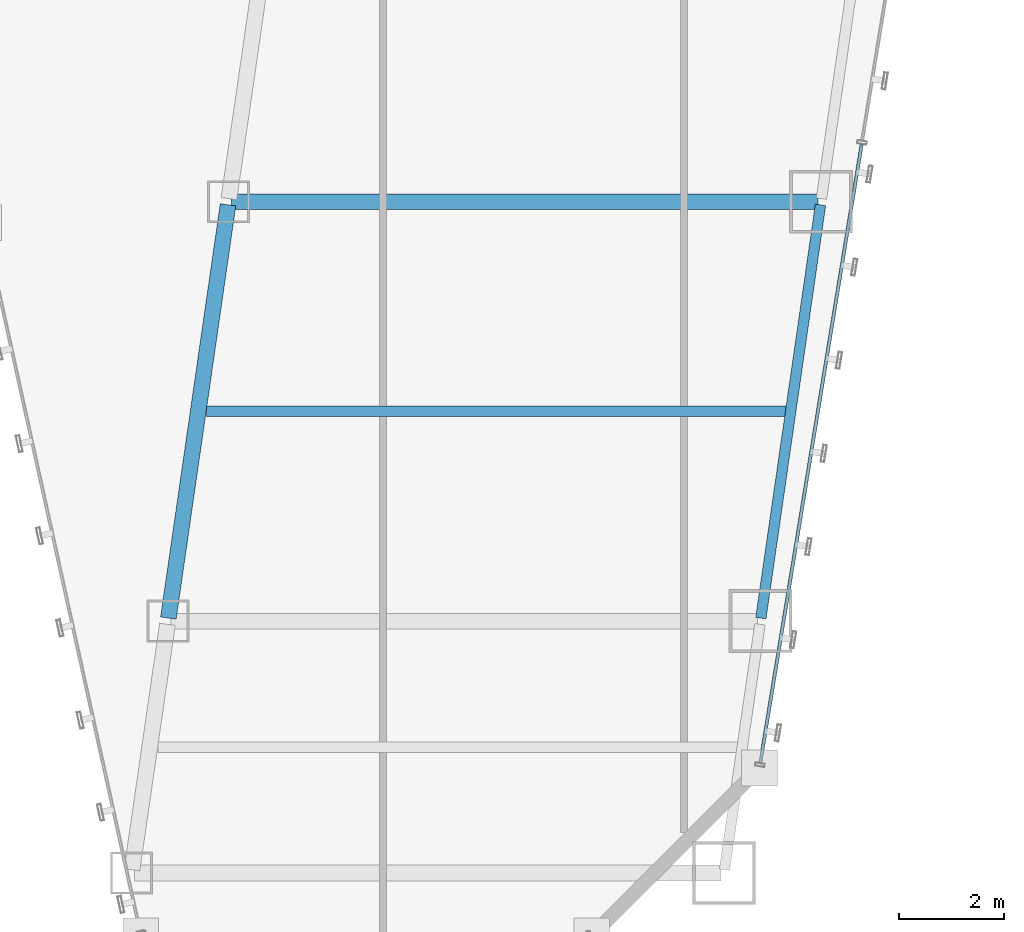
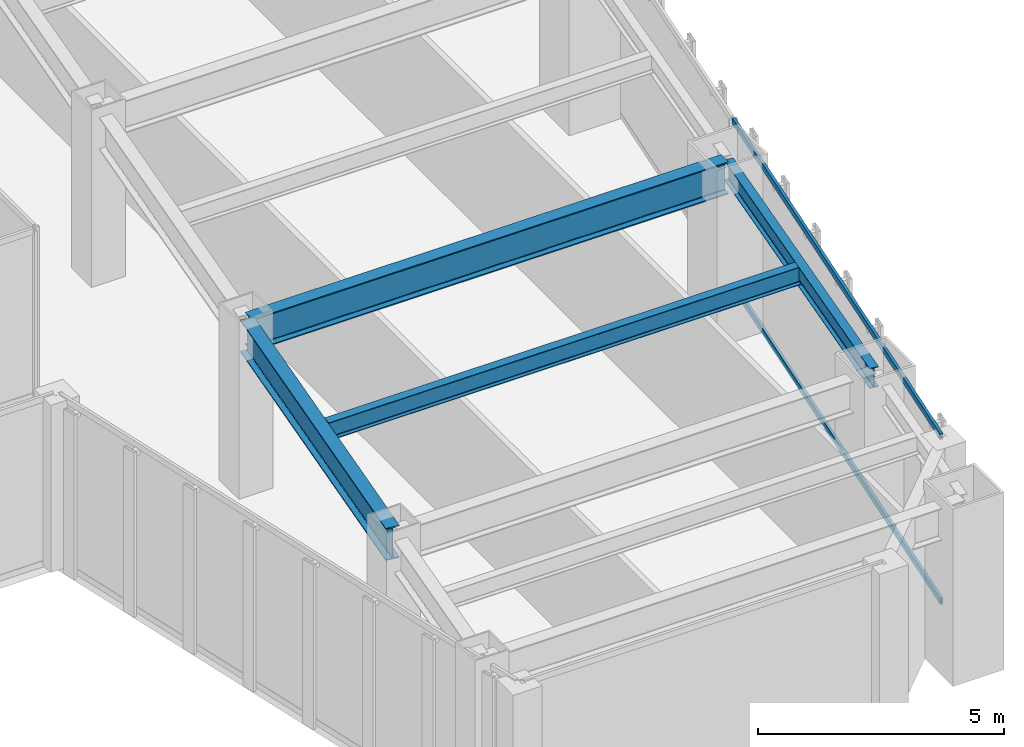
# One storey, part 16 of 49: 4 beams, 2 members, 1 element without a shape of its own.
"""IFC4 building model written with IfcOpenShell, lengths in metres."""

from ifc_helpers import new_model, si_unit, direction, frame, origin, origin_2d, place, context, subcontext, project, spatial, hollow_rectangle, i_section, extrude, material, material_profile, profile_set, type_object, element, aggregate, save


model = new_model("IFC4")

# Units and contexts
model_context = context("Model", 3, precision=1e-05, world=origin(), true_north=direction((0.0, 1.0)))
body_context = subcontext(model_context, "Body", "Model", "MODEL_VIEW")
ifc_project = project(units=[si_unit("LENGTHUNIT", "METRE"), si_unit("AREAUNIT", "SQUARE_METRE"), si_unit("VOLUMEUNIT", "CUBIC_METRE"), si_unit("PLANEANGLEUNIT", "RADIAN"), si_unit("MASSUNIT", "GRAM", prefix="KILO")], contexts=[model_context])

# Site, building, storey
site_placement = place(None, origin())
site = spatial("IfcSite", under=ifc_project, at=site_placement, CompositionType="ELEMENT")
building_placement = place(site_placement, origin())
building = spatial("IfcBuilding", under=site, at=building_placement, Name="Saevonmaru Cultural Tower", CompositionType="ELEMENT")
storey_placement = place(building_placement, frame((0.0, 0.0, 73.60009765625)))
storey = spatial("IfcBuildingStorey", under=building, at=storey_placement, Name="L15", CompositionType="ELEMENT", Elevation=73.60009765625)

# Beams
ifc_material_1 = material(Name="Steel SM420", Category="steel")
ifc_material_profile_1 = material_profile(ifc_material_1, i_section(OverallWidth=0.300048828125, OverallDepth=0.800048828125, WebThickness=0.013916015625, FlangeThickness=0.02587890625, FilletRadius=0.028076171875, at=origin_2d()), Name="H-800x300x14x26")
ifc_profile_set_1 = profile_set([ifc_material_profile_1], Name="Steel SM420")
beam_type_1 = type_object("IfcBeamType", Name="BM-G-H800", PredefinedType="BEAM", material=ifc_profile_set_1)
beam_1_placement = place(storey_placement, frame((36.925537109375, 8.059326171875, 3.75), z_axis=(0.142902032203, 0.989736838353, 0.0), x_axis=(-0.989736838353, 0.142902032203, 0.0)))
element("IfcBeam", 1, at=beam_1_placement, inside=storey, type_object=beam_type_1, Name="L15 East Atrium Girder 2", PredefinedType="BEAM", context=body_context, shape_type="SweptSolid", body=[
    extrude(i_section(OverallWidth=0.300048828125, OverallDepth=0.800048828125, WebThickness=0.013916015625, FlangeThickness=0.02587890625, FilletRadius=0.028076171875, at=origin_2d()), origin(), (0.0, 0.0, 1.0), 7.963134765625),
])
beam_2_placement = place(storey_placement, frame((38.132080078125, 16.0, 3.75), z_axis=(1.0, 0.0, 0.0), x_axis=(0.0, 1.0, 0.0)))
element("IfcBeam", 2, at=beam_2_placement, inside=storey, type_object=beam_type_1, Name="L15 East Wing Transverse Girder 3", PredefinedType="BEAM", context=body_context, shape_type="SweptSolid", body=[
    extrude(i_section(OverallWidth=0.300048828125, OverallDepth=0.800048828125, WebThickness=0.013916015625, FlangeThickness=0.02587890625, FilletRadius=0.028076171875, at=origin_2d()), origin(), (0.0, 0.0, 1.0), 11.179931640625),
])
ifc_material_2 = material(Name="Steel SM355", Category="steel")
ifc_material_profile_2 = material_profile(ifc_material_2, i_section(OverallWidth=0.199951171875, OverallDepth=0.449951171875, WebThickness=0.009033203125, FlangeThickness=0.013916015625, FilletRadius=0.01806640625, at=origin_2d()), Name="H-450x200x9x14")
ifc_profile_set_2 = profile_set([ifc_material_profile_2], Name="Steel SM355")
beam_type_2 = type_object("IfcBeamType", Name="BM-J-H450", PredefinedType="JOIST", material=ifc_profile_set_2)
beam_3_placement = place(storey_placement, frame((37.652587890625, 12.0, 3.9248046875), z_axis=(1.0, 0.0, 0.0), x_axis=(0.0, 1.0, 0.0)))
element("IfcBeam", 3, at=beam_3_placement, inside=storey, type_object=beam_type_2, Name="L15 East Wing Floor Joist 2", PredefinedType="JOIST", context=body_context, shape_type="SweptSolid", body=[
    extrude(i_section(OverallWidth=0.199951171875, OverallDepth=0.449951171875, WebThickness=0.009033203125, FlangeThickness=0.013916015625, FilletRadius=0.01806640625, at=origin_2d()), origin(), (0.0, 0.0, 1.0), 11.08203125),
])
ifc_material_profile_3 = material_profile(ifc_material_2, i_section(OverallWidth=0.199951171875, OverallDepth=0.5, WebThickness=0.010009765625, FlangeThickness=0.01611328125, FilletRadius=0.02001953125, at=origin_2d()), Name="H-500x200x10x16")
ifc_profile_set_3 = profile_set([ifc_material_profile_3], Name="Steel SM355")
beam_type_3 = type_object("IfcBeamType", Name="BM-SP-H500", PredefinedType="SPANDREL", material=ifc_profile_set_3)
beam_4_placement = place(storey_placement, frame((48.2255859375, 8.059326171875, 3.89990234375), z_axis=(0.142871999001, 0.989741174197, 0.0), x_axis=(-0.989741174197, 0.142871999001, 0.0)))
element("IfcBeam", 4, at=beam_4_placement, inside=storey, type_object=beam_type_3, Name="L15 East Splayed Spandrel 2", PredefinedType="SPANDREL", context=body_context, shape_type="SweptSolid", body=[
    extrude(i_section(OverallWidth=0.199951171875, OverallDepth=0.5, WebThickness=0.010009765625, FlangeThickness=0.01611328125, FilletRadius=0.02001953125, at=origin_2d()), origin(), (0.0, 0.0, 1.0), 7.963134765625),
])

# Curtain wall, members
ifc_material_3 = material(Name="Satin Bronze Anodised Aluminium", Category="aluminium")
curtain_wall_type = type_object("IfcCurtainWallType", Name="CW-TYP-A", PredefinedType="NOTDEFINED", material=ifc_material_3)
curtain_wall_placement = place(storey_placement, origin())
curtain_wall = element("IfcCurtainWall", 5, at=curtain_wall_placement, inside=storey, type_object=curtain_wall_type, Name="L15 Unitised Curtain Wall E8", PredefinedType="NOTDEFINED")
ifc_material_profile_4 = material_profile(ifc_material_3, hollow_rectangle(XDim=0.06494140625, YDim=0.14990234375, WallThickness=0.00390625, at=origin_2d()), Name="ALU-TRAN-150x65x4")
ifc_profile_set_4 = profile_set([ifc_material_profile_4], Name="Satin Bronze Anodised Aluminium")
member_type = type_object("IfcMemberType", Name="TR-CW-150x65", PredefinedType="USERDEFINED", material=ifc_profile_set_4)
member_1_placement = place(storey_placement, frame((48.21484375, 5.291259765625, 0.032470703125), z_axis=(0.161724530373, 0.986835941925, 0.0), x_axis=(-0.986835941925, 0.161724530373, 0.0)))
member_1 = element("IfcMember", 6, at=member_1_placement, type_object=member_type, Name="CW-TW-L15-E8 transom 1.1", ObjectType="TRANSOM", PredefinedType="USERDEFINED", context=body_context, shape_type="SweptSolid", body=[
    extrude(hollow_rectangle(XDim=0.06494140625, YDim=0.14990234375, WallThickness=0.00390625, at=origin_2d()), origin(), (0.0, 0.0, 1.0), 11.963623046875),
])
member_2_placement = place(storey_placement, frame((48.21484375, 5.291259765625, 4.117431640625), z_axis=(0.161724530373, 0.986835941925, 0.0), x_axis=(-0.986835941925, 0.161724530373, 0.0)))
member_2 = element("IfcMember", 7, at=member_2_placement, type_object=member_type, Name="CW-TW-L15-E8 transom 1.2", ObjectType="TRANSOM", PredefinedType="USERDEFINED", context=body_context, shape_type="SweptSolid", body=[
    extrude(hollow_rectangle(XDim=0.06494140625, YDim=0.14990234375, WallThickness=0.00390625, at=origin_2d()), origin(), (0.0, 0.0, 1.0), 11.963623046875),
])
aggregate(curtain_wall, [member_1, member_2])

save(model, "model.ifc")
